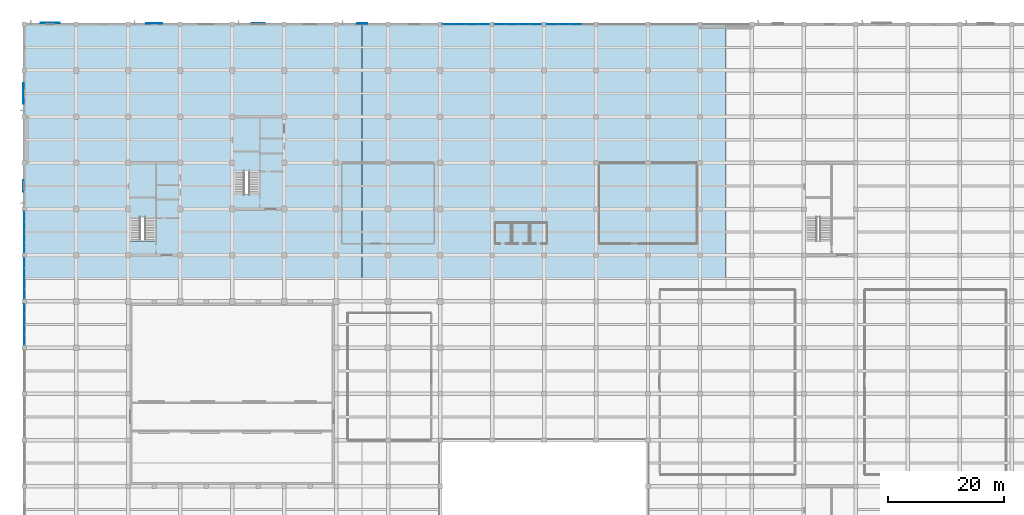
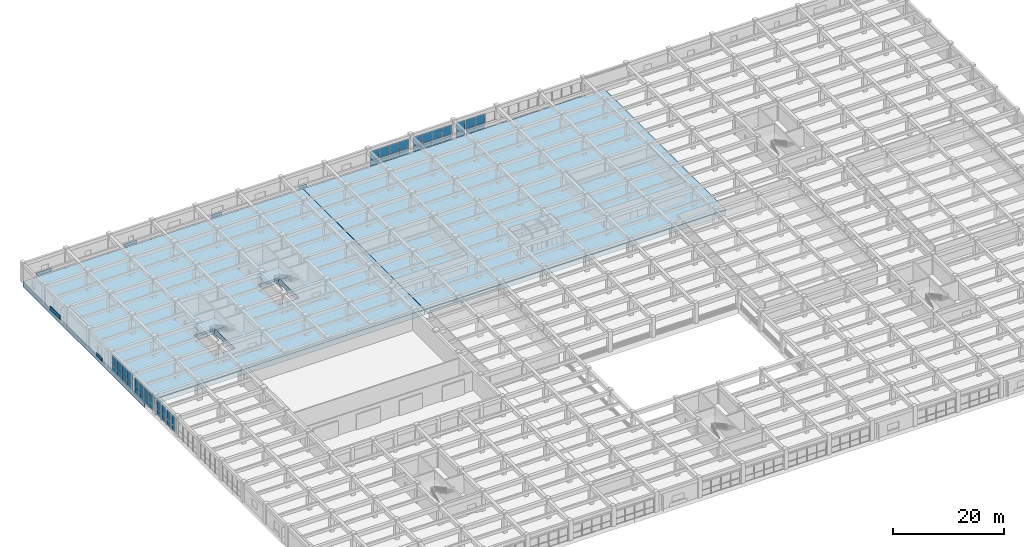
# One storey, part 23 of 50: 52 plates, 4 slabs, 8 elements without a shape of their own.
"""IFC4 building model written with IfcOpenShell, lengths in metres."""

from ifc_helpers import new_model, si_unit, direction, frame, frame_2d, origin, place, context, subcontext, project, spatial, polyline, rectangle, outline, extrude, material, layer, layer_set, type_object, element, aggregate, save


model = new_model("IFC4")

# Units and contexts
model_context = context("Model", 3, precision=1e-05, world=origin(), true_north=direction((0.0, 1.0)))
body_context = subcontext(model_context, "Body", "Model", "MODEL_VIEW")
ifc_project = project(units=[si_unit("LENGTHUNIT", "METRE"), si_unit("AREAUNIT", "SQUARE_METRE"), si_unit("VOLUMEUNIT", "CUBIC_METRE"), si_unit("PLANEANGLEUNIT", "RADIAN"), si_unit("MASSUNIT", "GRAM", prefix="KILO")], contexts=[model_context])

# Site, building, storey
site_placement = place(None, origin())
site = spatial("IfcSite", under=ifc_project, at=site_placement, CompositionType="ELEMENT")
building_placement = place(site_placement, origin())
building = spatial("IfcBuilding", under=site, at=building_placement, Name="Zaverband Oceanarium and Marine Research Institute", CompositionType="ELEMENT")
storey_placement = place(building_placement, frame((0.0, 0.0, 4.5)))
storey = spatial("IfcBuildingStorey", under=building, at=storey_placement, Name="L01", CompositionType="ELEMENT", Elevation=4.5)

# Curtain wall, plates
ifc_material_1 = material(Name="Thermally broken anodized aluminium and solar-control glass", Category="aluminium")
curtain_wall_type = type_object("IfcCurtainWallType", Name="CW-UNIT-1800", PredefinedType="NOTDEFINED", material=ifc_material_1)
curtain_wall_1_placement = place(storey_placement, origin())
curtain_wall_1 = element("IfcCurtainWall", 1, at=curtain_wall_1_placement, inside=storey, type_object=curtain_wall_type, Name="Unitised glazed curtain wall CW-032", PredefinedType="NOTDEFINED")
ifc_material_2 = material(Name="Low-E double-glazed solar-control glass", Category="glass")
ifc_layer_1 = layer(ifc_material_2, 0.033935546875, Name="Low-E double-glazed solar-control glass")
ifc_layer_set_1 = layer_set([ifc_layer_1], Name="Low-E double-glazed solar-control glass")
plate_type_1 = type_object("IfcPlateType", Name="CWP-1515x1211", PredefinedType="CURTAIN_PANEL", material=ifc_layer_set_1)
plate_1_placement = place(storey_placement, frame((0.0, 64.485107421875, 0.050048828125), z_axis=(0.0, 0.0, 1.0), x_axis=(0.0, 1.0, 0.0)))
plate_1 = element("IfcPlate", 2, at=plate_1_placement, type_object=plate_type_1, Name="Glazed curtain wall panel CWP-1515x1211", PredefinedType="CURTAIN_PANEL", context=body_context, shape_type="SweptSolid", body=[
    extrude(rectangle(XDim=1.637451171875, YDim=0.033935546875, at=frame_2d((0.81884765625, 0.0))), origin(), (0.0, 0.0, 1.0), 1.2109375),
])
plate_2_placement = place(storey_placement, frame((0.0, 66.282470703125, 0.050048828125), z_axis=(0.0, 0.0, 1.0), x_axis=(0.0, 1.0, 0.0)))
plate_2 = element("IfcPlate", 3, at=plate_2_placement, type_object=plate_type_1, Name="Glazed curtain wall panel CWP-1515x1211", PredefinedType="CURTAIN_PANEL", context=body_context, shape_type="SweptSolid", body=[
    extrude(rectangle(XDim=1.637451171875, YDim=0.033935546875, at=frame_2d((0.81884765625, 0.0))), origin(), (0.0, 0.0, 1.0), 1.2109375),
])
plate_3_placement = place(storey_placement, frame((0.0, 68.080078125, 0.050048828125), z_axis=(0.0, 0.0, 1.0), x_axis=(0.0, 1.0, 0.0)))
plate_3 = element("IfcPlate", 4, at=plate_3_placement, type_object=plate_type_1, Name="Glazed curtain wall panel CWP-1515x1211", PredefinedType="CURTAIN_PANEL", context=body_context, shape_type="SweptSolid", body=[
    extrude(rectangle(XDim=1.637451171875, YDim=0.033935546875, at=frame_2d((0.81884765625, 0.0))), origin(), (0.0, 0.0, 1.0), 1.2109375),
])
plate_4_placement = place(storey_placement, frame((0.0, 69.87744140625, 0.050048828125), z_axis=(0.0, 0.0, 1.0), x_axis=(0.0, 1.0, 0.0)))
plate_4 = element("IfcPlate", 5, at=plate_4_placement, type_object=plate_type_1, Name="Glazed curtain wall panel CWP-1515x1211", PredefinedType="CURTAIN_PANEL", context=body_context, shape_type="SweptSolid", body=[
    extrude(rectangle(XDim=1.637451171875, YDim=0.033935546875, at=frame_2d((0.81884765625, 0.0))), origin(), (0.0, 0.0, 1.0), 1.2109375),
])

curtain_wall_2_placement = place(storey_placement, origin())
curtain_wall_2 = element("IfcCurtainWall", 6, at=curtain_wall_2_placement, inside=storey, type_object=curtain_wall_type, Name="Unitised glazed curtain wall CW-033", PredefinedType="NOTDEFINED")
plate_5_placement = place(storey_placement, frame((0.0, 72.485107421875, 0.050048828125), z_axis=(0.0, 0.0, 1.0), x_axis=(0.0, 1.0, 0.0)))
plate_5 = element("IfcPlate", 7, at=plate_5_placement, type_object=plate_type_1, Name="Glazed curtain wall panel CWP-1515x1211", PredefinedType="CURTAIN_PANEL", context=body_context, shape_type="SweptSolid", body=[
    extrude(rectangle(XDim=1.637451171875, YDim=0.033935546875, at=frame_2d((0.81884765625, 0.0))), origin(), (0.0, 0.0, 1.0), 1.2109375),
])
plate_6_placement = place(storey_placement, frame((0.0, 74.282470703125, 0.050048828125), z_axis=(0.0, 0.0, 1.0), x_axis=(0.0, 1.0, 0.0)))
plate_6 = element("IfcPlate", 8, at=plate_6_placement, type_object=plate_type_1, Name="Glazed curtain wall panel CWP-1515x1211", PredefinedType="CURTAIN_PANEL", context=body_context, shape_type="SweptSolid", body=[
    extrude(rectangle(XDim=1.637451171875, YDim=0.033935546875, at=frame_2d((0.81884765625, 0.0))), origin(), (0.0, 0.0, 1.0), 1.2109375),
])
plate_7_placement = place(storey_placement, frame((0.0, 76.080078125, 0.050048828125), z_axis=(0.0, 0.0, 1.0), x_axis=(0.0, 1.0, 0.0)))
plate_7 = element("IfcPlate", 9, at=plate_7_placement, type_object=plate_type_1, Name="Glazed curtain wall panel CWP-1515x1211", PredefinedType="CURTAIN_PANEL", context=body_context, shape_type="SweptSolid", body=[
    extrude(rectangle(XDim=1.637451171875, YDim=0.033935546875, at=frame_2d((0.81884765625, 0.0))), origin(), (0.0, 0.0, 1.0), 1.2109375),
])
plate_8_placement = place(storey_placement, frame((0.0, 77.87744140625, 0.050048828125), z_axis=(0.0, 0.0, 1.0), x_axis=(0.0, 1.0, 0.0)))
plate_8 = element("IfcPlate", 10, at=plate_8_placement, type_object=plate_type_1, Name="Glazed curtain wall panel CWP-1515x1211", PredefinedType="CURTAIN_PANEL", context=body_context, shape_type="SweptSolid", body=[
    extrude(rectangle(XDim=1.637451171875, YDim=0.033935546875, at=frame_2d((0.81884765625, 0.0))), origin(), (0.0, 0.0, 1.0), 1.2109375),
])

curtain_wall_3_placement = place(storey_placement, origin())
curtain_wall_3 = element("IfcCurtainWall", 11, at=curtain_wall_3_placement, inside=storey, type_object=curtain_wall_type, Name="Unitised glazed curtain wall CW-034", PredefinedType="NOTDEFINED")
plate_9_placement = place(storey_placement, frame((0.0, 80.485107421875, 0.050048828125), z_axis=(0.0, 0.0, 1.0), x_axis=(0.0, 1.0, 0.0)))
plate_9 = element("IfcPlate", 12, at=plate_9_placement, type_object=plate_type_1, Name="Glazed curtain wall panel CWP-1515x1211", PredefinedType="CURTAIN_PANEL", context=body_context, shape_type="SweptSolid", body=[
    extrude(rectangle(XDim=1.637451171875, YDim=0.033935546875, at=frame_2d((0.81884765625, 0.0))), origin(), (0.0, 0.0, 1.0), 1.2109375),
])
plate_10_placement = place(storey_placement, frame((0.0, 82.282470703125, 0.050048828125), z_axis=(0.0, 0.0, 1.0), x_axis=(0.0, 1.0, 0.0)))
plate_10 = element("IfcPlate", 13, at=plate_10_placement, type_object=plate_type_1, Name="Glazed curtain wall panel CWP-1515x1211", PredefinedType="CURTAIN_PANEL", context=body_context, shape_type="SweptSolid", body=[
    extrude(rectangle(XDim=1.637451171875, YDim=0.033935546875, at=frame_2d((0.81884765625, 0.0))), origin(), (0.0, 0.0, 1.0), 1.2109375),
])
plate_11_placement = place(storey_placement, frame((0.0, 84.080078125, 0.050048828125), z_axis=(0.0, 0.0, 1.0), x_axis=(0.0, 1.0, 0.0)))
plate_11 = element("IfcPlate", 14, at=plate_11_placement, type_object=plate_type_1, Name="Glazed curtain wall panel CWP-1515x1211", PredefinedType="CURTAIN_PANEL", context=body_context, shape_type="SweptSolid", body=[
    extrude(rectangle(XDim=1.637451171875, YDim=0.033935546875, at=frame_2d((0.81884765625, 0.0))), origin(), (0.0, 0.0, 1.0), 1.2109375),
])
plate_12_placement = place(storey_placement, frame((0.0, 85.87744140625, 0.050048828125), z_axis=(0.0, 0.0, 1.0), x_axis=(0.0, 1.0, 0.0)))
plate_12 = element("IfcPlate", 15, at=plate_12_placement, type_object=plate_type_1, Name="Glazed curtain wall panel CWP-1515x1211", PredefinedType="CURTAIN_PANEL", context=body_context, shape_type="SweptSolid", body=[
    extrude(rectangle(XDim=1.637451171875, YDim=0.033935546875, at=frame_2d((0.81884765625, 0.0))), origin(), (0.0, 0.0, 1.0), 1.2109375),
])

# Plate
ifc_layer_2 = layer(ifc_material_2, 0.035888671875, Name="Low-E double-glazed solar-control glass")
ifc_layer_set_2 = layer_set([ifc_layer_2], Name="Low-E double-glazed solar-control glass")
plate_type_2 = type_object("IfcPlateType", Name="CWP-1515x2089", PredefinedType="CURTAIN_PANEL", material=ifc_layer_set_2)
plate_13_placement = place(storey_placement, frame((0.0, 64.485107421875, 1.3310546875), z_axis=(0.0, 0.0, 1.0), x_axis=(0.0, 1.0, 0.0)))
plate_13 = element("IfcPlate", 16, at=plate_13_placement, type_object=plate_type_2, Name="Glazed curtain wall panel CWP-1515x2089", PredefinedType="CURTAIN_PANEL", context=body_context, shape_type="SweptSolid", body=[
    extrude(rectangle(XDim=1.637451171875, YDim=0.035888671875, at=frame_2d((0.81884765625, 0.0))), origin(), (0.0, 0.0, 1.0), 2.0888671875),
])

plate_14_placement = place(storey_placement, frame((0.0, 66.282470703125, 1.3310546875), z_axis=(0.0, 0.0, 1.0), x_axis=(0.0, 1.0, 0.0)))
plate_14 = element("IfcPlate", 17, at=plate_14_placement, type_object=plate_type_2, Name="Glazed curtain wall panel CWP-1515x2089", PredefinedType="CURTAIN_PANEL", context=body_context, shape_type="SweptSolid", body=[
    extrude(rectangle(XDim=1.637451171875, YDim=0.035888671875, at=frame_2d((0.81884765625, 0.0))), origin(), (0.0, 0.0, 1.0), 2.0888671875),
])

plate_15_placement = place(storey_placement, frame((0.0, 68.080078125, 1.3310546875), z_axis=(0.0, 0.0, 1.0), x_axis=(0.0, 1.0, 0.0)))
plate_15 = element("IfcPlate", 18, at=plate_15_placement, type_object=plate_type_2, Name="Glazed curtain wall panel CWP-1515x2089", PredefinedType="CURTAIN_PANEL", context=body_context, shape_type="SweptSolid", body=[
    extrude(rectangle(XDim=1.637451171875, YDim=0.035888671875, at=frame_2d((0.81884765625, 0.0))), origin(), (0.0, 0.0, 1.0), 2.0888671875),
])

plate_16_placement = place(storey_placement, frame((0.0, 69.87744140625, 1.3310546875), z_axis=(0.0, 0.0, 1.0), x_axis=(0.0, 1.0, 0.0)))
plate_16 = element("IfcPlate", 19, at=plate_16_placement, type_object=plate_type_2, Name="Glazed curtain wall panel CWP-1515x2089", PredefinedType="CURTAIN_PANEL", context=body_context, shape_type="SweptSolid", body=[
    extrude(rectangle(XDim=1.637451171875, YDim=0.035888671875, at=frame_2d((0.81884765625, 0.0))), origin(), (0.0, 0.0, 1.0), 2.0888671875),
])

aggregate(curtain_wall_1, [plate_1, plate_13, plate_2, plate_14, plate_3, plate_15, plate_4, plate_16])

plate_17_placement = place(storey_placement, frame((0.0, 72.485107421875, 1.3310546875), z_axis=(0.0, 0.0, 1.0), x_axis=(0.0, 1.0, 0.0)))
plate_17 = element("IfcPlate", 20, at=plate_17_placement, type_object=plate_type_2, Name="Glazed curtain wall panel CWP-1515x2089", PredefinedType="CURTAIN_PANEL", context=body_context, shape_type="SweptSolid", body=[
    extrude(rectangle(XDim=1.637451171875, YDim=0.035888671875, at=frame_2d((0.81884765625, 0.0))), origin(), (0.0, 0.0, 1.0), 2.0888671875),
])

plate_18_placement = place(storey_placement, frame((0.0, 74.282470703125, 1.3310546875), z_axis=(0.0, 0.0, 1.0), x_axis=(0.0, 1.0, 0.0)))
plate_18 = element("IfcPlate", 21, at=plate_18_placement, type_object=plate_type_2, Name="Glazed curtain wall panel CWP-1515x2089", PredefinedType="CURTAIN_PANEL", context=body_context, shape_type="SweptSolid", body=[
    extrude(rectangle(XDim=1.637451171875, YDim=0.035888671875, at=frame_2d((0.81884765625, 0.0))), origin(), (0.0, 0.0, 1.0), 2.0888671875),
])

plate_19_placement = place(storey_placement, frame((0.0, 76.080078125, 1.3310546875), z_axis=(0.0, 0.0, 1.0), x_axis=(0.0, 1.0, 0.0)))
plate_19 = element("IfcPlate", 22, at=plate_19_placement, type_object=plate_type_2, Name="Glazed curtain wall panel CWP-1515x2089", PredefinedType="CURTAIN_PANEL", context=body_context, shape_type="SweptSolid", body=[
    extrude(rectangle(XDim=1.637451171875, YDim=0.035888671875, at=frame_2d((0.81884765625, 0.0))), origin(), (0.0, 0.0, 1.0), 2.0888671875),
])

plate_20_placement = place(storey_placement, frame((0.0, 77.87744140625, 1.3310546875), z_axis=(0.0, 0.0, 1.0), x_axis=(0.0, 1.0, 0.0)))
plate_20 = element("IfcPlate", 23, at=plate_20_placement, type_object=plate_type_2, Name="Glazed curtain wall panel CWP-1515x2089", PredefinedType="CURTAIN_PANEL", context=body_context, shape_type="SweptSolid", body=[
    extrude(rectangle(XDim=1.637451171875, YDim=0.035888671875, at=frame_2d((0.81884765625, 0.0))), origin(), (0.0, 0.0, 1.0), 2.0888671875),
])

aggregate(curtain_wall_2, [plate_5, plate_17, plate_6, plate_18, plate_7, plate_19, plate_8, plate_20])

plate_21_placement = place(storey_placement, frame((0.0, 80.485107421875, 1.3310546875), z_axis=(0.0, 0.0, 1.0), x_axis=(0.0, 1.0, 0.0)))
plate_21 = element("IfcPlate", 24, at=plate_21_placement, type_object=plate_type_2, Name="Glazed curtain wall panel CWP-1515x2089", PredefinedType="CURTAIN_PANEL", context=body_context, shape_type="SweptSolid", body=[
    extrude(rectangle(XDim=1.637451171875, YDim=0.035888671875, at=frame_2d((0.81884765625, 0.0))), origin(), (0.0, 0.0, 1.0), 2.0888671875),
])

plate_22_placement = place(storey_placement, frame((0.0, 82.282470703125, 1.3310546875), z_axis=(0.0, 0.0, 1.0), x_axis=(0.0, 1.0, 0.0)))
plate_22 = element("IfcPlate", 25, at=plate_22_placement, type_object=plate_type_2, Name="Glazed curtain wall panel CWP-1515x2089", PredefinedType="CURTAIN_PANEL", context=body_context, shape_type="SweptSolid", body=[
    extrude(rectangle(XDim=1.637451171875, YDim=0.035888671875, at=frame_2d((0.81884765625, 0.0))), origin(), (0.0, 0.0, 1.0), 2.0888671875),
])

plate_23_placement = place(storey_placement, frame((0.0, 84.080078125, 1.3310546875), z_axis=(0.0, 0.0, 1.0), x_axis=(0.0, 1.0, 0.0)))
plate_23 = element("IfcPlate", 26, at=plate_23_placement, type_object=plate_type_2, Name="Glazed curtain wall panel CWP-1515x2089", PredefinedType="CURTAIN_PANEL", context=body_context, shape_type="SweptSolid", body=[
    extrude(rectangle(XDim=1.637451171875, YDim=0.035888671875, at=frame_2d((0.81884765625, 0.0))), origin(), (0.0, 0.0, 1.0), 2.0888671875),
])

plate_24_placement = place(storey_placement, frame((0.0, 85.87744140625, 1.3310546875), z_axis=(0.0, 0.0, 1.0), x_axis=(0.0, 1.0, 0.0)))
plate_24 = element("IfcPlate", 27, at=plate_24_placement, type_object=plate_type_2, Name="Glazed curtain wall panel CWP-1515x2089", PredefinedType="CURTAIN_PANEL", context=body_context, shape_type="SweptSolid", body=[
    extrude(rectangle(XDim=1.637451171875, YDim=0.035888671875, at=frame_2d((0.81884765625, 0.0))), origin(), (0.0, 0.0, 1.0), 2.0888671875),
])

aggregate(curtain_wall_3, [plate_9, plate_21, plate_10, plate_22, plate_11, plate_23, plate_12, plate_24])

# Curtain wall, plates
curtain_wall_4_placement = place(storey_placement, origin())
curtain_wall_4 = element("IfcCurtainWall", 28, at=curtain_wall_4_placement, inside=storey, type_object=curtain_wall_type, Name="Unitised glazed curtain wall CW-023", PredefinedType="NOTDEFINED")
ifc_layer_3 = layer(ifc_material_2, 0.033935546875, Name="Low-E double-glazed solar-control glass")
ifc_layer_set_3 = layer_set([ifc_layer_3], Name="Low-E double-glazed solar-control glass")
plate_type_3 = type_object("IfcPlateType", Name="CWP-1765x1211", PredefinedType="CURTAIN_PANEL", material=ifc_layer_set_3)
plate_25_placement = place(storey_placement, frame((72.485107421875, 120.0, 0.050048828125), z_axis=(0.0, 0.0, 1.0), x_axis=(1.0, 0.0, 0.0)))
plate_25 = element("IfcPlate", 29, at=plate_25_placement, type_object=plate_type_3, Name="Glazed curtain wall panel CWP-1765x1211", PredefinedType="CURTAIN_PANEL", context=body_context, shape_type="SweptSolid", body=[
    extrude(rectangle(XDim=1.887451171875, YDim=0.033935546875, at=frame_2d((0.94384765625, 0.0))), origin(), (0.0, 0.0, 1.0), 1.2109375),
])
plate_26_placement = place(storey_placement, frame((74.532470703125, 120.0, 0.050048828125), z_axis=(0.0, 0.0, 1.0), x_axis=(1.0, 0.0, 0.0)))
plate_26 = element("IfcPlate", 30, at=plate_26_placement, type_object=plate_type_3, Name="Glazed curtain wall panel CWP-1765x1211", PredefinedType="CURTAIN_PANEL", context=body_context, shape_type="SweptSolid", body=[
    extrude(rectangle(XDim=1.887451171875, YDim=0.033935546875, at=frame_2d((0.94384765625, 0.0))), origin(), (0.0, 0.0, 1.0), 1.2109375),
])
plate_27_placement = place(storey_placement, frame((76.580078125, 120.0, 0.050048828125), z_axis=(0.0, 0.0, 1.0), x_axis=(1.0, 0.0, 0.0)))
plate_27 = element("IfcPlate", 31, at=plate_27_placement, type_object=plate_type_3, Name="Glazed curtain wall panel CWP-1765x1211", PredefinedType="CURTAIN_PANEL", context=body_context, shape_type="SweptSolid", body=[
    extrude(rectangle(XDim=1.887451171875, YDim=0.033935546875, at=frame_2d((0.94384765625, 0.0))), origin(), (0.0, 0.0, 1.0), 1.2109375),
])
plate_28_placement = place(storey_placement, frame((78.62744140625, 120.0, 0.050048828125), z_axis=(0.0, 0.0, 1.0), x_axis=(1.0, 0.0, 0.0)))
plate_28 = element("IfcPlate", 32, at=plate_28_placement, type_object=plate_type_3, Name="Glazed curtain wall panel CWP-1765x1211", PredefinedType="CURTAIN_PANEL", context=body_context, shape_type="SweptSolid", body=[
    extrude(rectangle(XDim=1.887451171875, YDim=0.033935546875, at=frame_2d((0.94384765625, 0.0))), origin(), (0.0, 0.0, 1.0), 1.2109375),
])

curtain_wall_5_placement = place(storey_placement, origin())
curtain_wall_5 = element("IfcCurtainWall", 33, at=curtain_wall_5_placement, inside=storey, type_object=curtain_wall_type, Name="Unitised glazed curtain wall CW-024", PredefinedType="NOTDEFINED")
plate_29_placement = place(storey_placement, frame((81.485107421875, 120.0, 0.050048828125), z_axis=(0.0, 0.0, 1.0), x_axis=(1.0, 0.0, 0.0)))
plate_29 = element("IfcPlate", 34, at=plate_29_placement, type_object=plate_type_3, Name="Glazed curtain wall panel CWP-1765x1211", PredefinedType="CURTAIN_PANEL", context=body_context, shape_type="SweptSolid", body=[
    extrude(rectangle(XDim=1.887451171875, YDim=0.033935546875, at=frame_2d((0.94384765625, 0.0))), origin(), (0.0, 0.0, 1.0), 1.2109375),
])
plate_30_placement = place(storey_placement, frame((83.532470703125, 120.0, 0.050048828125), z_axis=(0.0, 0.0, 1.0), x_axis=(1.0, 0.0, 0.0)))
plate_30 = element("IfcPlate", 35, at=plate_30_placement, type_object=plate_type_3, Name="Glazed curtain wall panel CWP-1765x1211", PredefinedType="CURTAIN_PANEL", context=body_context, shape_type="SweptSolid", body=[
    extrude(rectangle(XDim=1.887451171875, YDim=0.033935546875, at=frame_2d((0.94384765625, 0.0))), origin(), (0.0, 0.0, 1.0), 1.2109375),
])
plate_31_placement = place(storey_placement, frame((85.580078125, 120.0, 0.050048828125), z_axis=(0.0, 0.0, 1.0), x_axis=(1.0, 0.0, 0.0)))
plate_31 = element("IfcPlate", 36, at=plate_31_placement, type_object=plate_type_3, Name="Glazed curtain wall panel CWP-1765x1211", PredefinedType="CURTAIN_PANEL", context=body_context, shape_type="SweptSolid", body=[
    extrude(rectangle(XDim=1.887451171875, YDim=0.033935546875, at=frame_2d((0.94384765625, 0.0))), origin(), (0.0, 0.0, 1.0), 1.2109375),
])
plate_32_placement = place(storey_placement, frame((87.62744140625, 120.0, 0.050048828125), z_axis=(0.0, 0.0, 1.0), x_axis=(1.0, 0.0, 0.0)))
plate_32 = element("IfcPlate", 37, at=plate_32_placement, type_object=plate_type_3, Name="Glazed curtain wall panel CWP-1765x1211", PredefinedType="CURTAIN_PANEL", context=body_context, shape_type="SweptSolid", body=[
    extrude(rectangle(XDim=1.887451171875, YDim=0.033935546875, at=frame_2d((0.94384765625, 0.0))), origin(), (0.0, 0.0, 1.0), 1.2109375),
])

curtain_wall_6_placement = place(storey_placement, origin())
curtain_wall_6 = element("IfcCurtainWall", 38, at=curtain_wall_6_placement, inside=storey, type_object=curtain_wall_type, Name="Unitised glazed curtain wall CW-025", PredefinedType="NOTDEFINED")
plate_33_placement = place(storey_placement, frame((90.485107421875, 120.0, 0.050048828125), z_axis=(0.0, 0.0, 1.0), x_axis=(1.0, 0.0, 0.0)))
plate_33 = element("IfcPlate", 39, at=plate_33_placement, type_object=plate_type_3, Name="Glazed curtain wall panel CWP-1765x1211", PredefinedType="CURTAIN_PANEL", context=body_context, shape_type="SweptSolid", body=[
    extrude(rectangle(XDim=1.887451171875, YDim=0.033935546875, at=frame_2d((0.94384765625, 0.0))), origin(), (0.0, 0.0, 1.0), 1.2109375),
])
plate_34_placement = place(storey_placement, frame((92.532470703125, 120.0, 0.050048828125), z_axis=(0.0, 0.0, 1.0), x_axis=(1.0, 0.0, 0.0)))
plate_34 = element("IfcPlate", 40, at=plate_34_placement, type_object=plate_type_3, Name="Glazed curtain wall panel CWP-1765x1211", PredefinedType="CURTAIN_PANEL", context=body_context, shape_type="SweptSolid", body=[
    extrude(rectangle(XDim=1.887451171875, YDim=0.033935546875, at=frame_2d((0.94384765625, 0.0))), origin(), (0.0, 0.0, 1.0), 1.2109375),
])
plate_35_placement = place(storey_placement, frame((94.580078125, 120.0, 0.050048828125), z_axis=(0.0, 0.0, 1.0), x_axis=(1.0, 0.0, 0.0)))
plate_35 = element("IfcPlate", 41, at=plate_35_placement, type_object=plate_type_3, Name="Glazed curtain wall panel CWP-1765x1211", PredefinedType="CURTAIN_PANEL", context=body_context, shape_type="SweptSolid", body=[
    extrude(rectangle(XDim=1.887451171875, YDim=0.033935546875, at=frame_2d((0.94384765625, 0.0))), origin(), (0.0, 0.0, 1.0), 1.2109375),
])

# Plate
ifc_layer_4 = layer(ifc_material_2, 0.035888671875, Name="Low-E double-glazed solar-control glass")
ifc_layer_set_4 = layer_set([ifc_layer_4], Name="Low-E double-glazed solar-control glass")
plate_type_4 = type_object("IfcPlateType", Name="CWP-1765x2089", PredefinedType="CURTAIN_PANEL", material=ifc_layer_set_4)
plate_36_placement = place(storey_placement, frame((72.485107421875, 120.0, 1.3310546875), z_axis=(0.0, 0.0, 1.0), x_axis=(1.0, 0.0, 0.0)))
plate_36 = element("IfcPlate", 42, at=plate_36_placement, type_object=plate_type_4, Name="Glazed curtain wall panel CWP-1765x2089", PredefinedType="CURTAIN_PANEL", context=body_context, shape_type="SweptSolid", body=[
    extrude(rectangle(XDim=1.887451171875, YDim=0.035888671875, at=frame_2d((0.94384765625, 0.0))), origin(), (0.0, 0.0, 1.0), 2.0888671875),
])

plate_37_placement = place(storey_placement, frame((74.532470703125, 120.0, 1.3310546875), z_axis=(0.0, 0.0, 1.0), x_axis=(1.0, 0.0, 0.0)))
plate_37 = element("IfcPlate", 43, at=plate_37_placement, type_object=plate_type_4, Name="Glazed curtain wall panel CWP-1765x2089", PredefinedType="CURTAIN_PANEL", context=body_context, shape_type="SweptSolid", body=[
    extrude(rectangle(XDim=1.887451171875, YDim=0.035888671875, at=frame_2d((0.94384765625, 0.0))), origin(), (0.0, 0.0, 1.0), 2.0888671875),
])

plate_38_placement = place(storey_placement, frame((76.580078125, 120.0, 1.3310546875), z_axis=(0.0, 0.0, 1.0), x_axis=(1.0, 0.0, 0.0)))
plate_38 = element("IfcPlate", 44, at=plate_38_placement, type_object=plate_type_4, Name="Glazed curtain wall panel CWP-1765x2089", PredefinedType="CURTAIN_PANEL", context=body_context, shape_type="SweptSolid", body=[
    extrude(rectangle(XDim=1.887451171875, YDim=0.035888671875, at=frame_2d((0.94384765625, 0.0))), origin(), (0.0, 0.0, 1.0), 2.0888671875),
])

plate_39_placement = place(storey_placement, frame((78.62744140625, 120.0, 1.3310546875), z_axis=(0.0, 0.0, 1.0), x_axis=(1.0, 0.0, 0.0)))
plate_39 = element("IfcPlate", 45, at=plate_39_placement, type_object=plate_type_4, Name="Glazed curtain wall panel CWP-1765x2089", PredefinedType="CURTAIN_PANEL", context=body_context, shape_type="SweptSolid", body=[
    extrude(rectangle(XDim=1.887451171875, YDim=0.035888671875, at=frame_2d((0.94384765625, 0.0))), origin(), (0.0, 0.0, 1.0), 2.0888671875),
])

aggregate(curtain_wall_4, [plate_25, plate_36, plate_26, plate_37, plate_27, plate_38, plate_28, plate_39])

plate_40_placement = place(storey_placement, frame((81.485107421875, 120.0, 1.3310546875), z_axis=(0.0, 0.0, 1.0), x_axis=(1.0, 0.0, 0.0)))
plate_40 = element("IfcPlate", 46, at=plate_40_placement, type_object=plate_type_4, Name="Glazed curtain wall panel CWP-1765x2089", PredefinedType="CURTAIN_PANEL", context=body_context, shape_type="SweptSolid", body=[
    extrude(rectangle(XDim=1.887451171875, YDim=0.035888671875, at=frame_2d((0.94384765625, 0.0))), origin(), (0.0, 0.0, 1.0), 2.0888671875),
])

plate_41_placement = place(storey_placement, frame((83.532470703125, 120.0, 1.3310546875), z_axis=(0.0, 0.0, 1.0), x_axis=(1.0, 0.0, 0.0)))
plate_41 = element("IfcPlate", 47, at=plate_41_placement, type_object=plate_type_4, Name="Glazed curtain wall panel CWP-1765x2089", PredefinedType="CURTAIN_PANEL", context=body_context, shape_type="SweptSolid", body=[
    extrude(rectangle(XDim=1.887451171875, YDim=0.035888671875, at=frame_2d((0.94384765625, 0.0))), origin(), (0.0, 0.0, 1.0), 2.0888671875),
])

plate_42_placement = place(storey_placement, frame((85.580078125, 120.0, 1.3310546875), z_axis=(0.0, 0.0, 1.0), x_axis=(1.0, 0.0, 0.0)))
plate_42 = element("IfcPlate", 48, at=plate_42_placement, type_object=plate_type_4, Name="Glazed curtain wall panel CWP-1765x2089", PredefinedType="CURTAIN_PANEL", context=body_context, shape_type="SweptSolid", body=[
    extrude(rectangle(XDim=1.887451171875, YDim=0.035888671875, at=frame_2d((0.94384765625, 0.0))), origin(), (0.0, 0.0, 1.0), 2.0888671875),
])

plate_43_placement = place(storey_placement, frame((87.62744140625, 120.0, 1.3310546875), z_axis=(0.0, 0.0, 1.0), x_axis=(1.0, 0.0, 0.0)))
plate_43 = element("IfcPlate", 49, at=plate_43_placement, type_object=plate_type_4, Name="Glazed curtain wall panel CWP-1765x2089", PredefinedType="CURTAIN_PANEL", context=body_context, shape_type="SweptSolid", body=[
    extrude(rectangle(XDim=1.887451171875, YDim=0.035888671875, at=frame_2d((0.94384765625, 0.0))), origin(), (0.0, 0.0, 1.0), 2.0888671875),
])

aggregate(curtain_wall_5, [plate_29, plate_40, plate_30, plate_41, plate_31, plate_42, plate_32, plate_43])

plate_44_placement = place(storey_placement, frame((90.485107421875, 120.0, 1.3310546875), z_axis=(0.0, 0.0, 1.0), x_axis=(1.0, 0.0, 0.0)))
plate_44 = element("IfcPlate", 50, at=plate_44_placement, type_object=plate_type_4, Name="Glazed curtain wall panel CWP-1765x2089", PredefinedType="CURTAIN_PANEL", context=body_context, shape_type="SweptSolid", body=[
    extrude(rectangle(XDim=1.887451171875, YDim=0.035888671875, at=frame_2d((0.94384765625, 0.0))), origin(), (0.0, 0.0, 1.0), 2.0888671875),
])

plate_45_placement = place(storey_placement, frame((92.532470703125, 120.0, 1.3310546875), z_axis=(0.0, 0.0, 1.0), x_axis=(1.0, 0.0, 0.0)))
plate_45 = element("IfcPlate", 51, at=plate_45_placement, type_object=plate_type_4, Name="Glazed curtain wall panel CWP-1765x2089", PredefinedType="CURTAIN_PANEL", context=body_context, shape_type="SweptSolid", body=[
    extrude(rectangle(XDim=1.887451171875, YDim=0.035888671875, at=frame_2d((0.94384765625, 0.0))), origin(), (0.0, 0.0, 1.0), 2.0888671875),
])

plate_46_placement = place(storey_placement, frame((94.580078125, 120.0, 1.3310546875), z_axis=(0.0, 0.0, 1.0), x_axis=(1.0, 0.0, 0.0)))
plate_46 = element("IfcPlate", 52, at=plate_46_placement, type_object=plate_type_4, Name="Glazed curtain wall panel CWP-1765x2089", PredefinedType="CURTAIN_PANEL", context=body_context, shape_type="SweptSolid", body=[
    extrude(rectangle(XDim=1.887451171875, YDim=0.035888671875, at=frame_2d((0.94384765625, 0.0))), origin(), (0.0, 0.0, 1.0), 2.0888671875),
])

aggregate(curtain_wall_6, [plate_33, plate_44, plate_34, plate_45, plate_35, plate_46])

# Plates
ifc_material_3 = material(Name="Concrete C40/50 precast ochre", Category="concrete")
ifc_layer_5 = layer(ifc_material_3, 0.070068359375, Name="Concrete C40/50 precast ochre")
ifc_layer_set_5 = layer_set([ifc_layer_5], Name="Concrete C40/50 precast ochre")
plate_type_5 = type_object("IfcPlateType", Name="FRP-1750x700", PredefinedType="USERDEFINED", material=ifc_layer_set_5)
plate_47_placement = place(storey_placement, frame((57.625, 120.152587890625, 0.0), z_axis=(0.0, 0.0, 1.0), x_axis=(1.0, 0.0, 0.0)))
element("IfcPlate", 53, at=plate_47_placement, inside=storey, type_object=plate_type_5, Name="Geometric precast facade cladding panel FRP-1750x700", ObjectType="FLANGE_PLATE", PredefinedType="USERDEFINED", context=body_context, shape_type="SweptSolid", body=[
    extrude(rectangle(XDim=1.75, YDim=0.070068359375, at=frame_2d((0.875, 0.0))), origin(), (0.0, 0.0, 1.0), 0.699951171875),
])
ifc_layer_6 = layer(ifc_material_3, 0.070068359375, Name="Concrete C40/50 precast ochre")
ifc_layer_set_6 = layer_set([ifc_layer_6], Name="Concrete C40/50 precast ochre")
plate_type_6 = type_object("IfcPlateType", Name="FRP-2000x720", PredefinedType="USERDEFINED", material=ifc_layer_set_6)
plate_48_placement = place(storey_placement, frame((-0.175048828125, 91.0, 0.0), z_axis=(0.0, 0.0, 1.0), x_axis=(0.0, 1.0, 0.0)))
element("IfcPlate", 54, at=plate_48_placement, inside=storey, type_object=plate_type_6, Name="Geometric precast facade cladding panel FRP-2000x720", ObjectType="FLANGE_PLATE", PredefinedType="USERDEFINED", context=body_context, shape_type="SweptSolid", body=[
    extrude(rectangle(XDim=2.0, YDim=0.070068359375, at=frame_2d((1.0, 0.0))), origin(), (0.0, 0.0, 1.0), 0.719970703125),
])
ifc_layer_7 = layer(ifc_material_3, 0.074951171875, Name="Concrete C40/50 precast ochre")
ifc_layer_set_7 = layer_set([ifc_layer_7], Name="Concrete C40/50 precast ochre")
plate_type_7 = type_object("IfcPlateType", Name="FRP-2250x740", PredefinedType="USERDEFINED", material=ifc_layer_set_7)
plate_49_placement = place(storey_placement, frame((39.375, 120.177490234375, 0.0), z_axis=(0.0, 0.0, 1.0), x_axis=(1.0, 0.0, 0.0)))
element("IfcPlate", 55, at=plate_49_placement, inside=storey, type_object=plate_type_7, Name="Geometric precast facade cladding panel FRP-2250x740", ObjectType="FLANGE_PLATE", PredefinedType="USERDEFINED", context=body_context, shape_type="SweptSolid", body=[
    extrude(rectangle(XDim=2.25, YDim=0.074951171875, at=frame_2d((1.125, 0.0))), origin(), (0.0, 0.0, 1.0), 0.739990234375),
])
ifc_layer_8 = layer(ifc_material_3, 0.080078125, Name="Concrete C40/50 precast ochre")
ifc_layer_set_8 = layer_set([ifc_layer_8], Name="Concrete C40/50 precast ochre")
plate_type_8 = type_object("IfcPlateType", Name="FRP-2750x760", PredefinedType="USERDEFINED", material=ifc_layer_set_8)
plate_50_placement = place(storey_placement, frame((21.125, 120.157470703125, 0.0), z_axis=(0.0, 0.0, 1.0), x_axis=(1.0, 0.0, 0.0)))
element("IfcPlate", 56, at=plate_50_placement, inside=storey, type_object=plate_type_8, Name="Geometric precast facade cladding panel FRP-2750x760", ObjectType="FLANGE_PLATE", PredefinedType="USERDEFINED", context=body_context, shape_type="SweptSolid", body=[
    extrude(rectangle(XDim=2.75, YDim=0.080078125, at=frame_2d((1.375, 0.0))), origin(), (0.0, 0.0, 1.0), 0.760009765625),
])
ifc_layer_9 = layer(ifc_material_3, 0.0849609375, Name="Concrete C40/50 precast ochre")
ifc_layer_set_9 = layer_set([ifc_layer_9], Name="Concrete C40/50 precast ochre")
plate_type_9 = type_object("IfcPlateType", Name="FRP-3300x800", PredefinedType="USERDEFINED", material=ifc_layer_set_9)
plate_51_placement = place(storey_placement, frame((2.85009765625, 120.1826171875, 0.0), z_axis=(0.0, 0.0, 1.0), x_axis=(1.0, 0.0, 0.0)))
element("IfcPlate", 57, at=plate_51_placement, inside=storey, type_object=plate_type_9, Name="Geometric precast facade cladding panel FRP-3300x800", ObjectType="FLANGE_PLATE", PredefinedType="USERDEFINED", context=body_context, shape_type="SweptSolid", body=[
    extrude(rectangle(XDim=3.2998046875, YDim=0.0849609375, at=frame_2d((1.64990234375, 0.0))), origin(), (0.0, 0.0, 1.0), 0.800048828125),
])
ifc_layer_10 = layer(ifc_material_3, 0.0849609375, Name="Concrete C40/50 precast ochre")
ifc_layer_set_10 = layer_set([ifc_layer_10], Name="Concrete C40/50 precast ochre")
plate_type_10 = type_object("IfcPlateType", Name="FRP-3600x800", PredefinedType="USERDEFINED", material=ifc_layer_set_10)
plate_52_placement = place(storey_placement, frame((-0.159912109375, 106.199951171875, 0.0), z_axis=(0.0, 0.0, 1.0), x_axis=(0.0, 1.0, 0.0)))
element("IfcPlate", 58, at=plate_52_placement, inside=storey, type_object=plate_type_10, Name="Geometric precast facade cladding panel FRP-3600x800", ObjectType="FLANGE_PLATE", PredefinedType="USERDEFINED", context=body_context, shape_type="SweptSolid", body=[
    extrude(rectangle(XDim=3.60009765625, YDim=0.0849609375, at=frame_2d((1.800048828125, 0.0))), origin(), (0.0, 0.0, 1.0), 0.800048828125),
])

# Stair, slab
ifc_material_4 = material(Name="Concrete C40/50", Category="concrete")
stair_type = type_object("IfcStairType", Name="STR-TWR-1650-4500", PredefinedType="HALF_TURN_STAIR", material=ifc_material_4)
stair_1_placement = place(storey_placement, origin())
stair_1 = element("IfcStair", 59, at=stair_1_placement, inside=storey, type_object=stair_type, Name="Exit Stair ST-01 (L01)", PredefinedType="HALF_TURN_STAIR")
ifc_layer_11 = layer(ifc_material_4, 0.199951171875, Name="Concrete C40/50")
ifc_layer_set_11 = layer_set([ifc_layer_11], Name="Concrete C40/50")
slab_type_1 = type_object("IfcSlabType", Name="SLB-LND-200", PredefinedType="LANDING", material=ifc_layer_set_11)
slab_1_placement = place(storey_placement, frame((0.0, 0.0, 2.050048828125)))
slab_1 = element("IfcSlab", 60, at=slab_1_placement, type_object=slab_type_1, Name="Stair / ramp landing slab SLB-LND-200", PredefinedType="LANDING", context=body_context, shape_type="SweptSolid", body=[
    extrude(outline(polyline([(18.139892578125, 86.570068359375), (22.735107421875, 86.570068359375), (22.735107421875, 89.93505859375), (18.139892578125, 89.93505859375), (18.139892578125, 86.570068359375)])), origin(), (0.0, 0.0, 1.0), 0.199951171875),
])
aggregate(stair_1, [slab_1])

stair_2_placement = place(storey_placement, origin())
stair_2 = element("IfcStair", 61, at=stair_2_placement, inside=storey, type_object=stair_type, Name="Exit Stair ST-02 (L01)", PredefinedType="HALF_TURN_STAIR")
slab_2_placement = place(storey_placement, frame((0.0, 0.0, 2.050048828125)))
slab_2 = element("IfcSlab", 62, at=slab_2_placement, type_object=slab_type_1, Name="Stair / ramp landing slab SLB-LND-200", PredefinedType="LANDING", context=body_context, shape_type="SweptSolid", body=[
    extrude(outline(polyline([(36.139892578125, 94.570068359375), (40.735107421875, 94.570068359375), (40.735107421875, 97.93505859375), (36.139892578125, 97.93505859375), (36.139892578125, 94.570068359375)])), origin(), (0.0, 0.0, 1.0), 0.199951171875),
])
aggregate(stair_2, [slab_2])

# Slabs
ifc_material_5 = material(Name="Concrete C50/60", Category="concrete")
ifc_layer_12 = layer(ifc_material_5, 1.199951171875, Name="Concrete C50/60")
ifc_layer_set_12 = layer_set([ifc_layer_12], Name="Concrete C50/60")
slab_type_2 = type_object("IfcSlabType", Name="SLB-XFER-1200", PredefinedType="FLOOR", material=ifc_layer_set_12)
slab_3_placement = place(storey_placement, frame((0.0, 0.0, -1.199951171875)))
element("IfcSlab", 63, at=slab_3_placement, inside=storey, type_object=slab_type_2, Name="Heavy transfer slab SLB-XFER-1200", PredefinedType="FLOOR", context=body_context, shape_type="SweptSolid", body=[
    extrude(outline(polyline([(0.0, 120.0), (58.485107421875, 120.0), (58.485107421875, 76.014892578125), (0.0, 76.014892578125), (0.0, 120.0)]), holes=[polyline([(22.64990234375, 89.85009765625), (18.35009765625, 89.85009765625), (18.35009765625, 82.5), (22.64990234375, 82.5), (22.64990234375, 89.85009765625)]), polyline([(40.64990234375, 97.85009765625), (36.35009765625, 97.85009765625), (36.35009765625, 90.5), (40.64990234375, 90.5), (40.64990234375, 97.85009765625)])]), origin(), (0.0, 0.0, 1.0), 1.199951171875),
])
slab_4_placement = place(storey_placement, frame((0.0, 0.0, -1.199951171875)))
element("IfcSlab", 64, at=slab_4_placement, inside=storey, type_object=slab_type_2, Name="Heavy transfer slab SLB-XFER-1200", PredefinedType="FLOOR", context=body_context, shape_type="SweptSolid", body=[
    extrude(outline(polyline([(58.514892578125, 120.0), (121.485107421875, 120.0), (121.485107421875, 76.014892578125), (58.514892578125, 76.014892578125), (58.514892578125, 120.0)])), origin(), (0.0, 0.0, 1.0), 1.199951171875),
])

save(model, "model.ifc")
